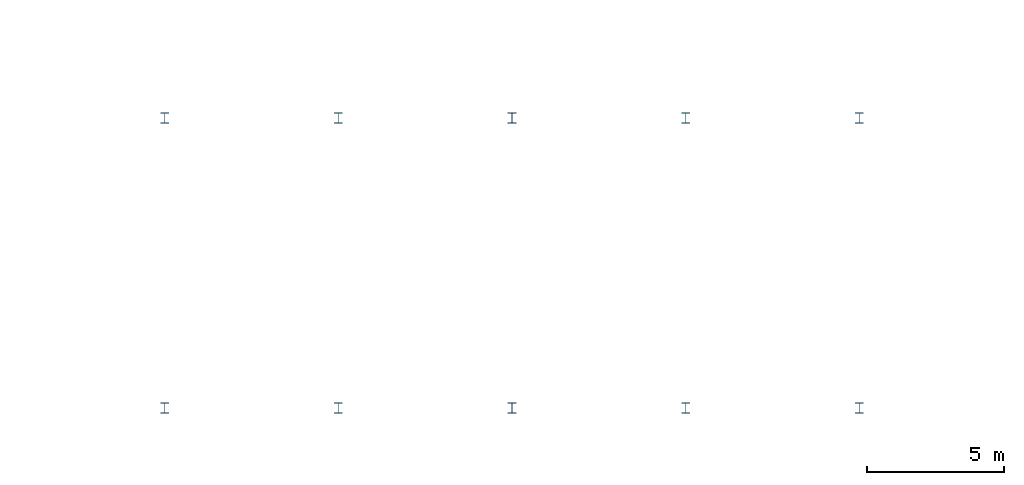
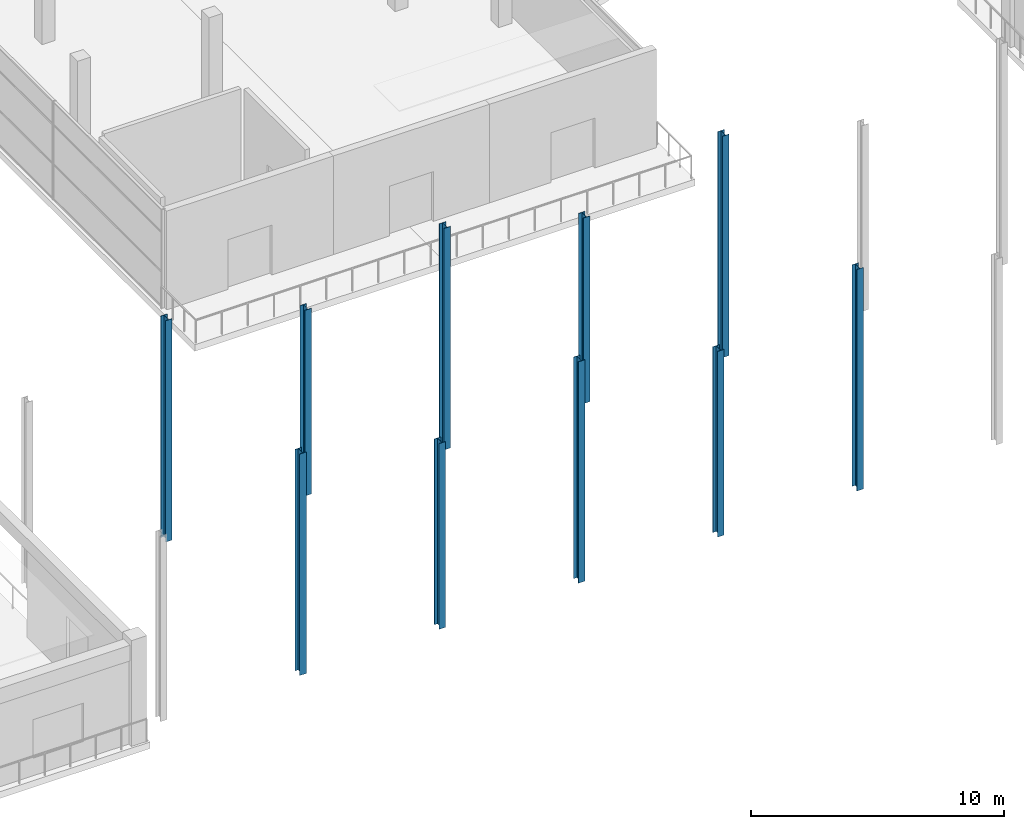
# One storey, part 2 of 99: 10 columns.
"""IFC4 building model written with IfcOpenShell, lengths in metres."""

from ifc_helpers import new_model, si_unit, direction, frame, origin, origin_2d, place, context, subcontext, project, spatial, i_section, extrude, material, material_profile, profile_set, type_object, element, save


model = new_model("IFC4")

# Units and contexts
model_context = context("Model", 3, precision=1e-05, world=origin(), true_north=direction((0.0, 1.0)))
body_context = subcontext(model_context, "Body", "Model", "MODEL_VIEW")
ifc_project = project(units=[si_unit("LENGTHUNIT", "METRE"), si_unit("AREAUNIT", "SQUARE_METRE"), si_unit("VOLUMEUNIT", "CUBIC_METRE"), si_unit("PLANEANGLEUNIT", "RADIAN"), si_unit("MASSUNIT", "GRAM", prefix="KILO")], contexts=[model_context])

# Site, building, storey
site_placement = place(None, origin())
site = spatial("IfcSite", under=ifc_project, at=site_placement, CompositionType="ELEMENT")
building_placement = place(site_placement, origin())
building = spatial("IfcBuilding", under=site, at=building_placement, Name="Saryqyr Civic Hall", CompositionType="ELEMENT")
storey_placement = place(building_placement, origin())
storey = spatial("IfcBuildingStorey", under=building, at=storey_placement, Name="L00", CompositionType="ELEMENT", Elevation=0.0)

# Columns
ifc_material = material(Name="Steel S355", Category="steel")
ifc_material_profile = material_profile(ifc_material, i_section(OverallWidth=0.300048828125, OverallDepth=0.389892578125, WebThickness=0.010986328125, FlangeThickness=0.01904296875, at=origin_2d()), Name="HEA 400")
ifc_profile_set = profile_set([ifc_material_profile], Name="Steel S355")
column_type = type_object("IfcColumnType", Name="STR-COL-HEA400-S355", PredefinedType="COLUMN", material=ifc_profile_set)
for number, where, z_axis, x_axis, name in (
    (1, (37.949951171875, 1.199951171875, 0.0), (0.0, 0.0, 1.0), (1.0, 0.0, 0.0), "Column V7C-COL-21-L00"),
    (2, (37.949951171875, 11.800048828125, 0.0), (0.0, 0.0, 1.0), (1.0, 0.0, 0.0), "Column V7C-COL-22-L00"),
):
    element("IfcColumn", number, at=place(storey_placement, frame(where, z_axis=z_axis, x_axis=x_axis)), inside=storey, type_object=column_type, Name=name, PredefinedType="COLUMN", context=body_context, shape_type="SweptSolid", body=[
        extrude(i_section(OverallWidth=0.300048828125, OverallDepth=0.389892578125, WebThickness=0.010986328125, FlangeThickness=0.01904296875, at=origin_2d()), origin(), (0.0, 0.0, 1.0), 10.67138671875),
    ])
for number, where, z_axis, x_axis, name in (
    (3, (44.300048828125, 1.199951171875, 0.0), (0.0, 0.0, 1.0), (1.0, 0.0, 0.0), "Column V7C-COL-31-L00"),
    (4, (44.300048828125, 11.800048828125, 0.0), (0.0, 0.0, 1.0), (1.0, 0.0, 0.0), "Column V7C-COL-32-L00"),
):
    element("IfcColumn", number, at=place(storey_placement, frame(where, z_axis=z_axis, x_axis=x_axis)), inside=storey, type_object=column_type, Name=name, PredefinedType="COLUMN", context=body_context, shape_type="SweptSolid", body=[
        extrude(i_section(OverallWidth=0.300048828125, OverallDepth=0.389892578125, WebThickness=0.010986328125, FlangeThickness=0.01904296875, at=origin_2d()), origin(), (0.0, 0.0, 1.0), 8.949951171875),
    ])
for number, where, z_axis, x_axis, name in (
    (5, (50.64990234375, 1.199951171875, 0.0), (0.0, 0.0, 1.0), (1.0, 0.0, 0.0), "Column V7C-COL-41-L00"),
    (6, (50.64990234375, 11.800048828125, 0.0), (0.0, 0.0, 1.0), (1.0, 0.0, 0.0), "Column V7C-COL-42-L00"),
):
    element("IfcColumn", number, at=place(storey_placement, frame(where, z_axis=z_axis, x_axis=x_axis)), inside=storey, type_object=column_type, Name=name, PredefinedType="COLUMN", context=body_context, shape_type="SweptSolid", body=[
        extrude(i_section(OverallWidth=0.300048828125, OverallDepth=0.389892578125, WebThickness=0.010986328125, FlangeThickness=0.01904296875, at=origin_2d()), origin(), (0.0, 0.0, 1.0), 10.67138671875),
    ])
for number, where, z_axis, x_axis, name in (
    (7, (57.0, 1.199951171875, 0.0), (0.0, 0.0, 1.0), (1.0, 0.0, 0.0), "Column V7C-COL-51-L00"),
    (8, (57.0, 11.800048828125, 0.0), (0.0, 0.0, 1.0), (1.0, 0.0, 0.0), "Column V7C-COL-52-L00"),
):
    element("IfcColumn", number, at=place(storey_placement, frame(where, z_axis=z_axis, x_axis=x_axis)), inside=storey, type_object=column_type, Name=name, PredefinedType="COLUMN", context=body_context, shape_type="SweptSolid", body=[
        extrude(i_section(OverallWidth=0.300048828125, OverallDepth=0.389892578125, WebThickness=0.010986328125, FlangeThickness=0.01904296875, at=origin_2d()), origin(), (0.0, 0.0, 1.0), 8.949951171875),
    ])
for number, where, z_axis, x_axis, name in (
    (9, (63.35009765625, 1.199951171875, 0.0), (0.0, 0.0, 1.0), (1.0, 0.0, 0.0), "Column V7C-COL-61-L00"),
    (10, (63.35009765625, 11.800048828125, 0.0), (0.0, 0.0, 1.0), (1.0, 0.0, 0.0), "Column V7C-COL-62-L00"),
):
    element("IfcColumn", number, at=place(storey_placement, frame(where, z_axis=z_axis, x_axis=x_axis)), inside=storey, type_object=column_type, Name=name, PredefinedType="COLUMN", context=body_context, shape_type="SweptSolid", body=[
        extrude(i_section(OverallWidth=0.300048828125, OverallDepth=0.389892578125, WebThickness=0.010986328125, FlangeThickness=0.01904296875, at=origin_2d()), origin(), (0.0, 0.0, 1.0), 10.67138671875),
    ])

save(model, "model.ifc")
